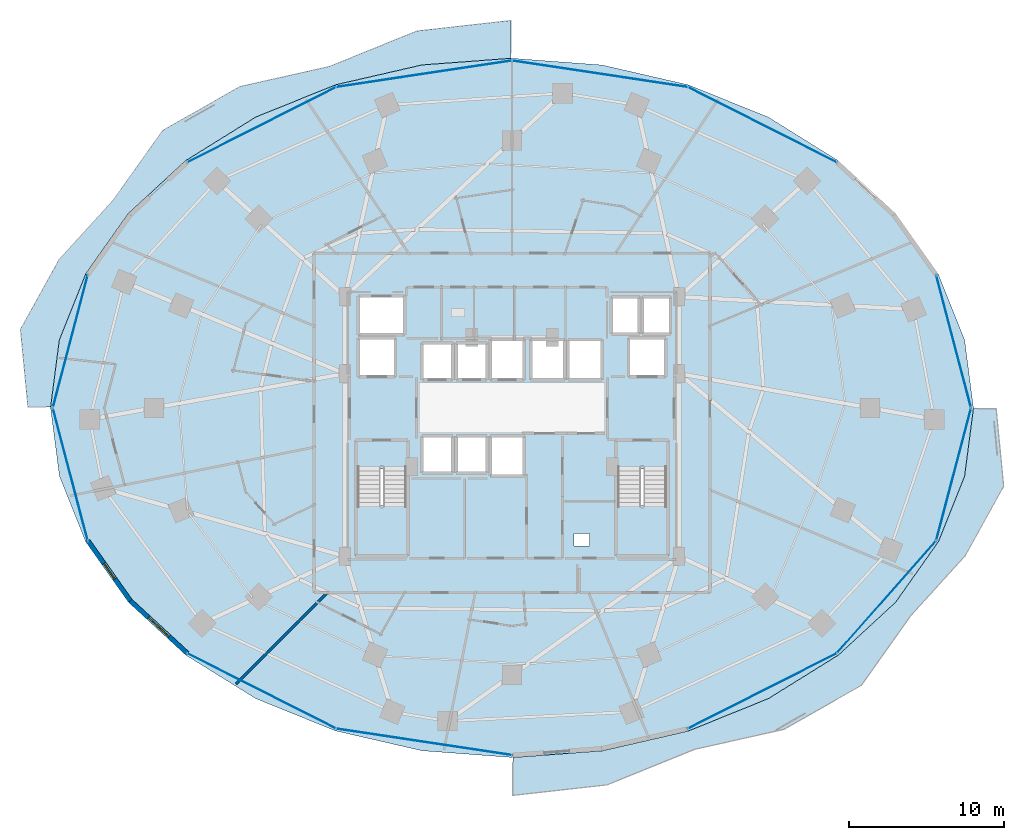
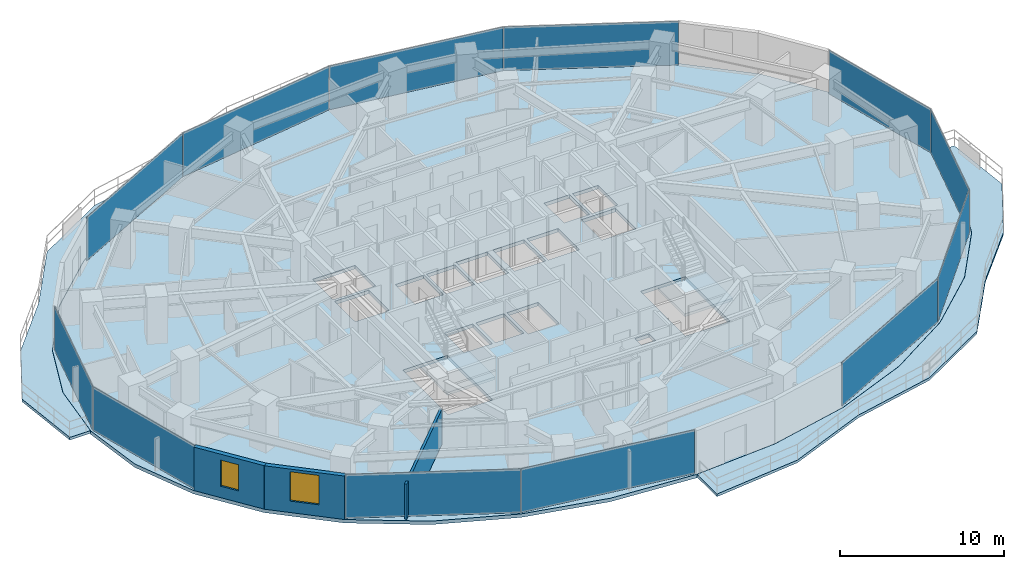
# One storey, part 26 of 35: 12 plates, 5 slabs, 3 walls, 2 windows, 2 openings, 6 elements without a shape of their own.
"""IFC4 building model written with IfcOpenShell, lengths in metres."""

from ifc_helpers import new_model, si_unit, direction, frame, frame_2d, origin, origin_2d, place, context, subcontext, project, spatial, polyline, rectangle, outline, extrude, material, layer, layer_set, type_object, element, fill, aggregate, save


model = new_model("IFC4")

# Units and contexts
model_context = context("Model", 3, precision=1e-05, world=origin(), true_north=direction((0.0, 1.0)))
body_context = subcontext(model_context, "Body", "Model", "MODEL_VIEW")
ifc_project = project(units=[si_unit("LENGTHUNIT", "METRE"), si_unit("AREAUNIT", "SQUARE_METRE"), si_unit("VOLUMEUNIT", "CUBIC_METRE"), si_unit("PLANEANGLEUNIT", "RADIAN"), si_unit("MASSUNIT", "GRAM", prefix="KILO")], contexts=[model_context])

# Site, building, storey
site_placement = place(None, origin())
site = spatial("IfcSite", under=ifc_project, at=site_placement, CompositionType="ELEMENT")
building_placement = place(site_placement, origin())
building = spatial("IfcBuilding", under=site, at=building_placement, Name="Vorneva Point Tower", CompositionType="ELEMENT")
storey_placement = place(building_placement, frame((0.0, 0.0, 45.0)))
storey = spatial("IfcBuildingStorey", under=building, at=storey_placement, Name="L11", CompositionType="ELEMENT", Elevation=45.0)

# Curtain wall, plates
ifc_material_1 = material(Name="Pale anodised aluminium", Category="aluminium")
curtain_wall_type = type_object("IfcCurtainWallType", Name="CW-HTL-SYS", PredefinedType="NOTDEFINED", material=ifc_material_1)
curtain_wall_1_placement = place(storey_placement, origin())
curtain_wall_1 = element("IfcCurtainWall", 1, at=curtain_wall_1_placement, inside=storey, type_object=curtain_wall_type, Name="L11 Unitised Curtain Wall CW-L11-R01", PredefinedType="NOTDEFINED")
ifc_material_2 = material(Name="Double low-e laminated glass IGU", Category="glass")
ifc_layer_1 = layer(ifc_material_2, 0.035888671875)
ifc_layer_set_1 = layer_set([ifc_layer_1], Name="Double low-e laminated glass IGU")
plate_type = type_object("IfcPlateType", Name="CW-PNL-VIS", PredefinedType="CURTAIN_PANEL", material=ifc_layer_set_1)
plate_1_placement = place(storey_placement, frame((54.101806640625, 7.773681640625, -0.02001953125), z_axis=(0.0, 0.0, 1.0), x_axis=(0.892499239729, 0.451048896554, 0.0)))
plate_1 = element("IfcPlate", 2, at=plate_1_placement, type_object=plate_type, Name="CW-L11-R01 Glazed Panel 01", PredefinedType="CURTAIN_PANEL", context=body_context, shape_type="SweptSolid", body=[
    extrude(rectangle(XDim=10.69140625, YDim=0.035888671875, at=origin_2d()), origin(), (0.0, 0.0, 1.0), 3.280029296875),
])
plate_2_placement = place(storey_placement, frame((62.097900390625, 13.821533203125, -0.02001953125), z_axis=(0.0, 0.0, 1.0), x_axis=(0.662070857019, 0.749441245386, 0.0)))
plate_2 = element("IfcPlate", 3, at=plate_2_placement, type_object=plate_type, Name="CW-L11-R01 Glazed Panel 02", PredefinedType="CURTAIN_PANEL", context=body_context, shape_type="SweptSolid", body=[
    extrude(rectangle(XDim=9.625, YDim=0.035888671875, at=origin_2d()), origin(), (0.0, 0.0, 1.0), 3.280029296875),
])
plate_3_placement = place(storey_placement, frame((66.42529296875, 21.723388671875, -0.02001953125), z_axis=(0.0, 0.0, 1.0), x_axis=(0.254348767449, 0.967112560407, 0.0)))
plate_3 = element("IfcPlate", 4, at=plate_3_placement, type_object=plate_type, Name="CW-L11-R01 Glazed Panel 03", PredefinedType="CURTAIN_PANEL", context=body_context, shape_type="SweptSolid", body=[
    extrude(rectangle(XDim=8.793701171875, YDim=0.035888671875, at=origin_2d()), origin(), (0.0, 0.0, 1.0), 3.280029296875),
])
plate_4_placement = place(storey_placement, frame((66.42529296875, 30.276611328125, -0.02001953125), z_axis=(0.0, 0.0, 1.0), x_axis=(-0.254348767449, 0.967112560407, 0.0)))
plate_4 = element("IfcPlate", 5, at=plate_4_placement, type_object=plate_type, Name="CW-L11-R01 Glazed Panel 04", PredefinedType="CURTAIN_PANEL", context=body_context, shape_type="SweptSolid", body=[
    extrude(rectangle(XDim=8.793701171875, YDim=0.035888671875, at=origin_2d()), origin(), (0.0, 0.0, 1.0), 3.280029296875),
])
aggregate(curtain_wall_1, [plate_1, plate_2, plate_3, plate_4])

curtain_wall_2_placement = place(storey_placement, origin())
curtain_wall_2 = element("IfcCurtainWall", 6, at=curtain_wall_2_placement, inside=storey, type_object=curtain_wall_type, Name="L11 Unitised Curtain Wall CW-L11-R02", PredefinedType="NOTDEFINED")
plate_5_placement = place(storey_placement, frame((54.101806640625, 44.226318359375, -0.02001953125), z_axis=(0.0, 0.0, 1.0), x_axis=(-0.892499239729, 0.451048896554, 0.0)))
plate_5 = element("IfcPlate", 7, at=plate_5_placement, type_object=plate_type, Name="CW-L11-R02 Glazed Panel 01", PredefinedType="CURTAIN_PANEL", context=body_context, shape_type="SweptSolid", body=[
    extrude(rectangle(XDim=10.69140625, YDim=0.035888671875, at=origin_2d()), origin(), (0.0, 0.0, 1.0), 3.280029296875),
])
plate_6_placement = place(storey_placement, frame((43.654296875, 47.499267578125, -0.02001953125), z_axis=(0.0, 0.0, 1.0), x_axis=(-0.988870924381, 0.148775989034, 0.0)))
plate_6 = element("IfcPlate", 8, at=plate_6_placement, type_object=plate_type, Name="CW-L11-R02 Glazed Panel 02", PredefinedType="CURTAIN_PANEL", context=body_context, shape_type="SweptSolid", body=[
    extrude(rectangle(XDim=11.385498046875, YDim=0.035888671875, at=origin_2d()), origin(), (0.0, 0.0, 1.0), 3.280029296875),
])
plate_7_placement = place(storey_placement, frame((32.345703125, 47.499267578125, -0.02001953125), z_axis=(0.0, 0.0, 1.0), x_axis=(-0.988870924381, -0.148775989034, 0.0)))
plate_7 = element("IfcPlate", 9, at=plate_7_placement, type_object=plate_type, Name="CW-L11-R02 Glazed Panel 03", PredefinedType="CURTAIN_PANEL", context=body_context, shape_type="SweptSolid", body=[
    extrude(rectangle(XDim=11.385498046875, YDim=0.035888671875, at=origin_2d()), origin(), (0.0, 0.0, 1.0), 3.280029296875),
])
plate_8_placement = place(storey_placement, frame((21.8984375, 44.226318359375, -0.02001953125), z_axis=(0.0, 0.0, 1.0), x_axis=(-0.892499239729, -0.451048896554, 0.0)))
plate_8 = element("IfcPlate", 10, at=plate_8_placement, type_object=plate_type, Name="CW-L11-R02 Glazed Panel 04", PredefinedType="CURTAIN_PANEL", context=body_context, shape_type="SweptSolid", body=[
    extrude(rectangle(XDim=10.69140625, YDim=0.035888671875, at=origin_2d()), origin(), (0.0, 0.0, 1.0), 3.280029296875),
])
aggregate(curtain_wall_2, [plate_5, plate_6, plate_7, plate_8])

curtain_wall_3_placement = place(storey_placement, origin())
curtain_wall_3 = element("IfcCurtainWall", 11, at=curtain_wall_3_placement, inside=storey, type_object=curtain_wall_type, Name="L11 Unitised Curtain Wall CW-L11-R03", PredefinedType="NOTDEFINED")
plate_9_placement = place(storey_placement, frame((9.57470703125, 30.276611328125, -0.02001953125), z_axis=(0.0, 0.0, 1.0), x_axis=(-0.254348767449, -0.967112560407, 0.0)))
plate_9 = element("IfcPlate", 12, at=plate_9_placement, type_object=plate_type, Name="CW-L11-R03 Glazed Panel 01", PredefinedType="CURTAIN_PANEL", context=body_context, shape_type="SweptSolid", body=[
    extrude(rectangle(XDim=8.793701171875, YDim=0.035888671875, at=origin_2d()), origin(), (0.0, 0.0, 1.0), 3.280029296875),
])
plate_10_placement = place(storey_placement, frame((9.57470703125, 21.723388671875, -0.02001953125), z_axis=(0.0, 0.0, 1.0), x_axis=(0.254348767449, -0.967112560407, 0.0)))
plate_10 = element("IfcPlate", 13, at=plate_10_placement, type_object=plate_type, Name="CW-L11-R03 Glazed Panel 02", PredefinedType="CURTAIN_PANEL", context=body_context, shape_type="SweptSolid", body=[
    extrude(rectangle(XDim=8.793701171875, YDim=0.035888671875, at=origin_2d()), origin(), (0.0, 0.0, 1.0), 3.280029296875),
])
aggregate(curtain_wall_3, [plate_9, plate_10])

curtain_wall_4_placement = place(storey_placement, origin())
curtain_wall_4 = element("IfcCurtainWall", 14, at=curtain_wall_4_placement, inside=storey, type_object=curtain_wall_type, Name="L11 Unitised Curtain Wall CW-L11-R04", PredefinedType="NOTDEFINED")
plate_11_placement = place(storey_placement, frame((21.8984375, 7.773681640625, -0.02001953125), z_axis=(0.0, 0.0, 1.0), x_axis=(0.892499239729, -0.451048896554, 0.0)))
plate_11 = element("IfcPlate", 15, at=plate_11_placement, type_object=plate_type, Name="CW-L11-R04 Glazed Panel 01", PredefinedType="CURTAIN_PANEL", context=body_context, shape_type="SweptSolid", body=[
    extrude(rectangle(XDim=10.69140625, YDim=0.035888671875, at=origin_2d()), origin(), (0.0, 0.0, 1.0), 3.280029296875),
])
plate_12_placement = place(storey_placement, frame((32.345703125, 4.500732421875, -0.02001953125), z_axis=(0.0, 0.0, 1.0), x_axis=(0.988870924381, -0.148775989034, 0.0)))
plate_12 = element("IfcPlate", 16, at=plate_12_placement, type_object=plate_type, Name="CW-L11-R04 Glazed Panel 02", PredefinedType="CURTAIN_PANEL", context=body_context, shape_type="SweptSolid", body=[
    extrude(rectangle(XDim=11.385498046875, YDim=0.035888671875, at=origin_2d()), origin(), (0.0, 0.0, 1.0), 3.280029296875),
])
aggregate(curtain_wall_4, [plate_11, plate_12])

# Slabs
ifc_material_3 = material(Name="Concrete B50 (C40/50)", Category="concrete")
ifc_layer_2 = layer(ifc_material_3, 0.199951171875)
ifc_layer_set_2 = layer_set([ifc_layer_2], Name="Concrete B50 (C40/50)")
slab_type_1 = type_object("IfcSlabType", Name="SLB-BAL-200", PredefinedType="FLOOR", material=ifc_layer_set_2)
slab_1_placement = place(storey_placement, frame((0.0, 0.0, -0.199951171875)))
element("IfcSlab", 17, at=slab_1_placement, inside=storey, type_object=slab_type_1, Name="L11 Cantilevered Wave Balcony NW", PredefinedType="FLOOR", context=body_context, shape_type="SweptSolid", body=[
    extrude(outline(polyline([(6.840087890625, 26.050048828125), (8.302490234375, 26.050048828125), (8.86669921875, 30.389892578125), (8.86669921875, 30.390380859375), (8.866943359375, 30.390625), (8.866943359375, 30.39111328125), (10.55712890625, 34.61181640625), (10.557373046875, 34.6123046875), (10.5576171875, 34.61279296875), (13.302001953125, 38.502685546875), (13.302490234375, 38.5029296875), (13.302734375, 38.503173828125), (16.99609375, 41.912841796875), (16.99658203125, 41.9130859375), (16.996826171875, 41.913330078125), (21.49755859375, 44.71142578125), (21.497802734375, 44.711669921875), (21.498046875, 44.7119140625), (26.6328125, 46.791015625), (26.633056640625, 46.791015625), (26.63330078125, 46.791259765625), (32.204833984375, 48.071533203125), (32.205078125, 48.07177734375), (32.20556640625, 48.07177734375), (37.949951171875, 48.500244140625), (37.949951171875, 50.939453125), (31.875244140625, 50.2607421875), (26.260009765625, 47.97998046875), (20.497802734375, 46.68701171875), (15.5224609375, 43.85888671875), (12.327880859375, 39.3623046875), (8.849853515625, 35.5458984375), (6.359130859375, 31.049072265625), (6.840087890625, 26.050048828125)])), origin(), (0.0, 0.0, 1.0), 0.199951171875),
])
slab_2_placement = place(storey_placement, frame((0.0, 0.0, -0.199951171875)))
element("IfcSlab", 18, at=slab_2_placement, inside=storey, type_object=slab_type_1, Name="L11 Cantilevered Wave Balcony SE", PredefinedType="FLOOR", context=body_context, shape_type="SweptSolid", body=[
    extrude(outline(polyline([(69.640869140625, 20.950927734375), (69.159912109375, 25.949951171875), (67.697509765625, 25.949951171875), (67.13330078125, 21.610107421875), (67.13330078125, 21.609619140625), (67.133056640625, 21.609375), (67.133056640625, 21.60888671875), (65.44287109375, 17.38818359375), (65.442626953125, 17.3876953125), (65.4423828125, 17.38720703125), (62.697998046875, 13.497314453125), (62.697509765625, 13.4970703125), (62.697265625, 13.496826171875), (59.00390625, 10.087158203125), (59.00341796875, 10.0869140625), (59.003173828125, 10.086669921875), (54.50244140625, 7.28857421875), (54.502197265625, 7.288330078125), (54.501953125, 7.2880859375), (49.3671875, 5.208984375), (49.366943359375, 5.208984375), (49.36669921875, 5.208740234375), (43.795166015625, 3.928466796875), (43.794921875, 3.92822265625), (43.79443359375, 3.92822265625), (38.050048828125, 3.499755859375), (38.050048828125, 1.060546875), (44.124755859375, 1.7392578125), (49.739990234375, 4.02001953125), (55.502197265625, 5.31298828125), (60.4775390625, 8.14111328125), (63.672119140625, 12.6376953125), (67.150146484375, 16.4541015625), (69.640869140625, 20.950927734375)])), origin(), (0.0, 0.0, 1.0), 0.199951171875),
])

# Stair, slab
stair_type = type_object("IfcStairType", Name="ST-DOG-1500", PredefinedType="HALF_TURN_STAIR", material=ifc_material_3)
stair_1_placement = place(storey_placement, origin())
stair_1 = element("IfcStair", 19, at=stair_1_placement, inside=storey, type_object=stair_type, Name="L11 ST1", PredefinedType="HALF_TURN_STAIR")
ifc_layer_3 = layer(ifc_material_3, 0.199951171875)
ifc_layer_set_3 = layer_set([ifc_layer_3], Name="Concrete B50 (C40/50)")
slab_type_2 = type_object("IfcSlabType", Name="SLB-LND-200", PredefinedType="LANDING", material=ifc_layer_set_3)
slab_3_placement = place(storey_placement, frame((0.0, 0.0, 1.550048828125)))
slab_3 = element("IfcSlab", 20, at=slab_3_placement, type_object=slab_type_2, Name="ST1 landing 1", PredefinedType="LANDING", context=body_context, shape_type="SweptSolid", body=[
    extrude(outline(polyline([(27.929931640625, 16.47998046875), (31.320068359375, 16.47998046875), (31.320068359375, 19.72998046875), (27.929931640625, 19.72998046875), (27.929931640625, 16.47998046875)])), origin(), (0.0, 0.0, 1.0), 0.199951171875),
])
aggregate(stair_1, [slab_3])

stair_2_placement = place(storey_placement, origin())
stair_2 = element("IfcStair", 21, at=stair_2_placement, inside=storey, type_object=stair_type, Name="L11 ST2", PredefinedType="HALF_TURN_STAIR")
slab_4_placement = place(storey_placement, frame((0.0, 0.0, 1.550048828125)))
slab_4 = element("IfcSlab", 22, at=slab_4_placement, type_object=slab_type_2, Name="ST2 landing 1", PredefinedType="LANDING", context=body_context, shape_type="SweptSolid", body=[
    extrude(outline(polyline([(44.679931640625, 16.47998046875), (48.070068359375, 16.47998046875), (48.070068359375, 19.72998046875), (44.679931640625, 19.72998046875), (44.679931640625, 16.47998046875)])), origin(), (0.0, 0.0, 1.0), 0.199951171875),
])
aggregate(stair_2, [slab_4])

# Slab
ifc_layer_4 = layer(ifc_material_3, 0.260009765625)
ifc_layer_set_4 = layer_set([ifc_layer_4], Name="Concrete B50 (C40/50)")
slab_type_3 = type_object("IfcSlabType", Name="SLB-TYP-260", PredefinedType="FLOOR", material=ifc_layer_set_4)
slab_5_placement = place(storey_placement, frame((0.0, 0.0, -0.260009765625)))
element("IfcSlab", 23, at=slab_5_placement, inside=storey, type_object=slab_type_3, Name="L11 Structural Floor Plate", PredefinedType="FLOOR", context=body_context, shape_type="SweptSolid", body=[
    extrude(outline(polyline([(67.699951171875, 26.0), (67.12939453125, 30.389404296875), (65.439208984375, 34.6103515625), (62.694580078125, 38.500244140625), (59.001220703125, 41.909912109375), (54.50048828125, 44.7080078125), (49.36572265625, 46.787353515625), (43.794189453125, 48.067626953125), (38.0, 48.5), (32.205810546875, 48.067626953125), (26.63427734375, 46.787353515625), (21.49951171875, 44.7080078125), (16.998779296875, 41.909912109375), (13.305419921875, 38.500244140625), (10.560791015625, 34.6103515625), (8.87060546875, 30.389404296875), (8.300048828125, 26.0), (8.87060546875, 21.610595703125), (10.560791015625, 17.3896484375), (13.305419921875, 13.499755859375), (16.998779296875, 10.090087890625), (21.49951171875, 7.2919921875), (26.63427734375, 5.212646484375), (32.205810546875, 3.932373046875), (38.0, 3.5), (43.794189453125, 3.932373046875), (49.36572265625, 5.212646484375), (54.50048828125, 7.2919921875), (59.001220703125, 10.090087890625), (62.694580078125, 13.499755859375), (65.439208984375, 17.3896484375), (67.12939453125, 21.610595703125), (67.699951171875, 26.0)]), holes=[polyline([(32.199951171875, 27.800048828125), (34.199951171875, 27.800048828125), (34.199951171875, 30.199951171875), (32.199951171875, 30.199951171875), (32.199951171875, 27.800048828125)]), polyline([(34.39990234375, 27.800048828125), (36.39990234375, 27.800048828125), (36.39990234375, 30.199951171875), (34.39990234375, 30.199951171875), (34.39990234375, 27.800048828125)]), polyline([(36.60009765625, 27.800048828125), (38.800048828125, 27.800048828125), (38.800048828125, 30.39990234375), (36.60009765625, 30.39990234375), (36.60009765625, 27.800048828125)]), polyline([(32.199951171875, 21.800048828125), (34.199951171875, 21.800048828125), (34.199951171875, 24.199951171875), (32.199951171875, 24.199951171875), (32.199951171875, 21.800048828125)]), polyline([(34.39990234375, 21.800048828125), (36.39990234375, 21.800048828125), (36.39990234375, 24.199951171875), (34.39990234375, 24.199951171875), (34.39990234375, 21.800048828125)]), polyline([(36.60009765625, 21.60009765625), (38.800048828125, 21.60009765625), (38.800048828125, 24.199951171875), (36.60009765625, 24.199951171875), (36.60009765625, 21.60009765625)]), polyline([(39.199951171875, 27.800048828125), (41.39990234375, 27.800048828125), (41.39990234375, 30.39990234375), (39.199951171875, 30.39990234375), (39.199951171875, 27.800048828125)]), polyline([(41.60009765625, 27.800048828125), (43.800048828125, 27.800048828125), (43.800048828125, 30.39990234375), (41.60009765625, 30.39990234375), (41.60009765625, 27.800048828125)]), polyline([(44.39990234375, 30.739990234375), (46.199951171875, 30.739990234375), (46.199951171875, 33.159912109375), (44.39990234375, 33.159912109375), (44.39990234375, 30.739990234375)]), polyline([(46.39990234375, 30.739990234375), (48.199951171875, 30.739990234375), (48.199951171875, 33.159912109375), (46.39990234375, 33.159912109375), (46.39990234375, 30.739990234375)]), polyline([(28.10009765625, 28.0), (30.5, 28.0), (30.5, 30.5), (28.10009765625, 30.5), (28.10009765625, 28.0)]), polyline([(45.5, 28.0), (47.89990234375, 28.0), (47.89990234375, 30.5), (45.5, 30.5), (45.5, 28.0)]), polyline([(28.10009765625, 30.699951171875), (31.10009765625, 30.699951171875), (31.10009765625, 33.199951171875), (28.10009765625, 33.199951171875), (28.10009765625, 30.699951171875)]), polyline([(28.050048828125, 16.60009765625), (31.199951171875, 16.60009765625), (31.199951171875, 22.080078125), (28.050048828125, 22.080078125), (28.050048828125, 16.60009765625)]), polyline([(44.800048828125, 16.60009765625), (47.949951171875, 16.60009765625), (47.949951171875, 22.080078125), (44.800048828125, 22.080078125), (44.800048828125, 16.60009765625)]), polyline([(42.0, 17.10009765625), (43.0, 17.10009765625), (43.0, 17.89990234375), (42.0, 17.89990234375), (42.0, 17.10009765625)])]), origin(), (0.0, 0.0, 1.0), 0.260009765625),
])

# Wall, opening, window
ifc_material_4 = material(Name="Precast concrete B50 (C40/50)", Category="concrete")
ifc_layer_5 = layer(ifc_material_4, 0.300048828125)
ifc_layer_set_5 = layer_set([ifc_layer_5], Name="Precast concrete B50 (C40/50)")
wall_type_1 = type_object("IfcWallType", Name="WL-EXT-300", PredefinedType="STANDARD", material=ifc_layer_set_5)
wall_1_placement = place(storey_placement, frame((10.699462890625, 17.447021484375, 0.0), z_axis=(0.0, 0.0, 1.0), x_axis=(0.577130815624, -0.816651713803, 0.0)))
wall_1 = element("IfcWall", 24, at=wall_1_placement, inside=storey, type_object=wall_type_1, Name="L11 Pale-Metal Facade Spandrel Wall 10.1", PredefinedType="STANDARD", context=body_context, shape_type="SweptSolid", body=[
    extrude(rectangle(XDim=4.7314453125, YDim=0.300048828125, at=frame_2d((2.36572265625, 0.0))), origin(), (0.0, 0.0, 1.0), 3.239990234375),
])
opening_1_placement = place(wall_1_placement, frame((1.79541015625, 0.0, 0.85009765625)))
opening_1 = element("IfcOpeningElement", 25, at=opening_1_placement, cuts=wall_1, Name="Opening W-04", PredefinedType="OPENING", context=body_context, shape_type="SweptSolid", body=[
    extrude(rectangle(XDim=1.199951171875, YDim=1.949951171875, at=frame_2d((0.60009765625, 0.97509765625))), frame((0.0, 0.1650390625, 0.0), z_axis=(0.0, -1.0, 0.0), x_axis=(1.0, 0.0, 0.0)), (0.0, 0.0, 1.0), 0.329833984375),
])
window_type_1 = type_object("IfcWindowType", Name="WN-RES-1200", PartitioningType="SINGLE_PANEL", PredefinedType="WINDOW", material=ifc_material_2)
window_1_placement = place(opening_1_placement, origin())
window_1 = element("IfcWindow", 26, at=window_1_placement, inside=storey, type_object=window_type_1, Name="L11 Dwelling Vision Window 01", OverallHeight=1.949951171875, OverallWidth=1.199951171875, PartitioningType="SINGLE_PANEL", PredefinedType="WINDOW", context=body_context, shape_type="SweptSolid", body=[
    extrude(rectangle(XDim=1.199951171875, YDim=1.949951171875, at=frame_2d((0.60009765625, 0.97509765625))), frame((0.0, 0.030029296875, 0.0), z_axis=(0.0, -1.0, 0.0), x_axis=(1.0, 0.0, 0.0)), (0.0, 0.0, 1.0), 0.06005859375),
])
fill(opening_1, window_1)

wall_2_placement = place(storey_placement, frame((13.43017578125, 13.5830078125, 0.0), z_axis=(0.0, 0.0, 1.0), x_axis=(0.735342629635, -0.677695519419, 0.0)))
wall_2 = element("IfcWall", 27, at=wall_2_placement, inside=storey, type_object=wall_type_1, Name="L11 Pale-Metal Facade Spandrel Wall 10.2", PredefinedType="STANDARD", context=body_context, shape_type="SweptSolid", body=[
    extrude(rectangle(XDim=4.997314453125, YDim=0.300048828125, at=frame_2d((2.49853515625, 0.0))), origin(), (0.0, 0.0, 1.0), 3.239990234375),
])
opening_2_placement = place(wall_2_placement, frame((1.598876953125, 0.0, 0.85009765625)))
opening_2 = element("IfcOpeningElement", 28, at=opening_2_placement, cuts=wall_2, Name="Opening W-01", PredefinedType="OPENING", context=body_context, shape_type="SweptSolid", body=[
    extrude(rectangle(XDim=1.800048828125, YDim=2.18994140625, at=frame_2d((0.89990234375, 1.094970703125))), frame((0.0, 0.1650390625, 0.0), z_axis=(0.0, -1.0, 0.0), x_axis=(1.0, 0.0, 0.0)), (0.0, 0.0, 1.0), 0.329833984375),
])
window_type_2 = type_object("IfcWindowType", Name="WN-LOG-1800", PartitioningType="SINGLE_PANEL", PredefinedType="WINDOW", material=ifc_material_2)
window_2_placement = place(opening_2_placement, origin())
window_2 = element("IfcWindow", 29, at=window_2_placement, inside=storey, type_object=window_type_2, Name="L11 Facade Window 10", OverallHeight=2.18994140625, OverallWidth=1.800048828125, PartitioningType="SINGLE_PANEL", PredefinedType="WINDOW", context=body_context, shape_type="SweptSolid", body=[
    extrude(rectangle(XDim=1.800048828125, YDim=2.18994140625, at=frame_2d((0.89990234375, 1.094970703125))), frame((0.0, 0.030029296875, 0.0), z_axis=(0.0, -1.0, 0.0), x_axis=(1.0, 0.0, 0.0)), (0.0, 0.0, 1.0), 0.06005859375),
])
fill(opening_2, window_2)

# Wall
ifc_material_5 = material(Name="Fire-rated acoustic gypsum stud partition", Category="gypsum")
ifc_layer_6 = layer(ifc_material_5, 0.159912109375)
ifc_layer_set_6 = layer_set([ifc_layer_6], Name="Fire-rated acoustic gypsum stud partition")
wall_type_2 = type_object("IfcWallType", Name="WL-PART-160", PredefinedType="PARTITIONING", material=ifc_layer_set_6)
wall_3_placement = place(storey_placement, frame((20.2470703125, 8.2470703125, 0.0), z_axis=(0.0, 0.0, 1.0), x_axis=(0.707106781187, 0.707106781187, 0.0)))
element("IfcWall", 30, at=wall_3_placement, inside=storey, type_object=wall_type_2, Name="L11 Interior Partition 081", PredefinedType="PARTITIONING", context=body_context, shape_type="SweptSolid", body=[
    extrude(rectangle(XDim=8.27734375, YDim=0.159912109375, at=frame_2d((4.138671875, 0.0))), origin(), (0.0, 0.0, 1.0), 2.6240234375),
])

save(model, "model.ifc")
